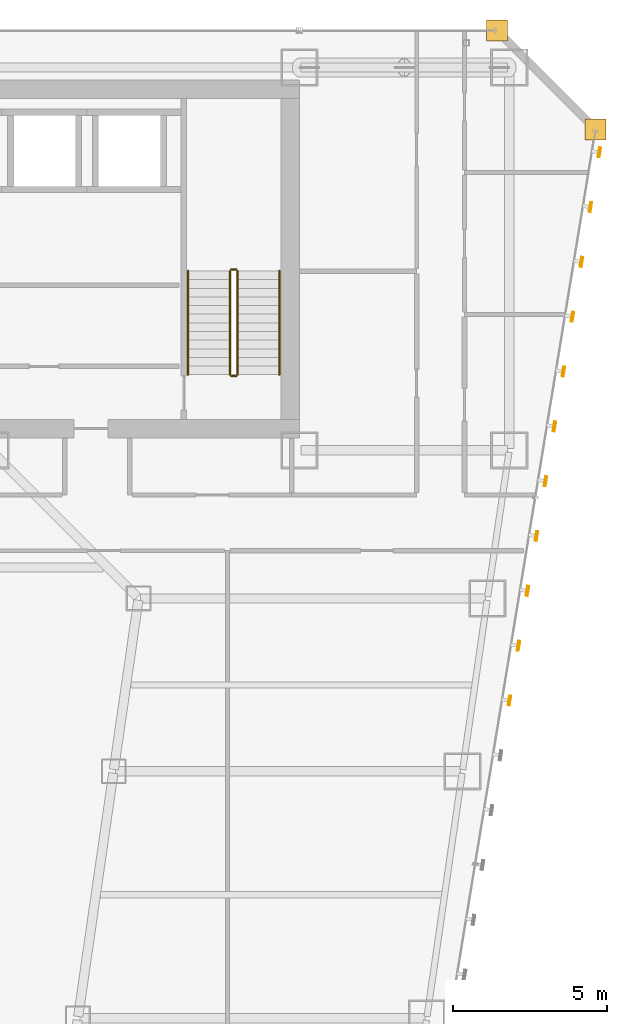
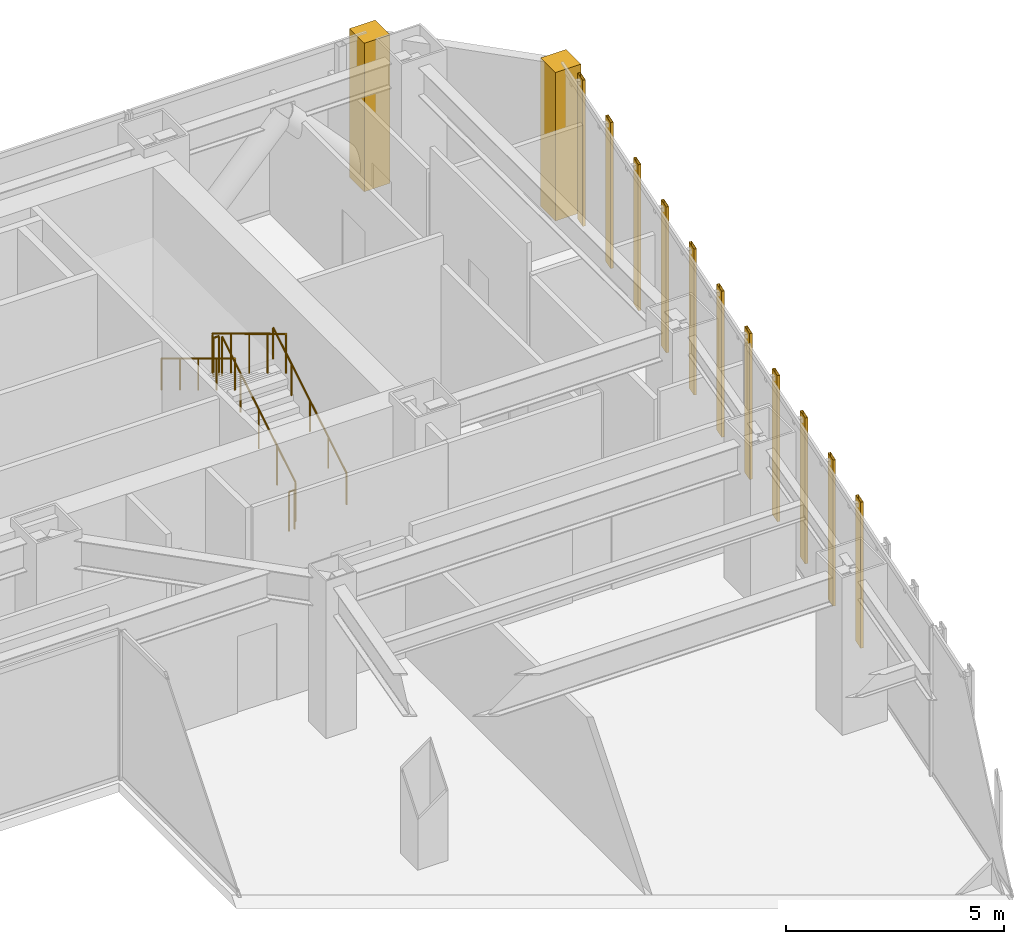
# One storey, part 47 of 47: 11 shading devices, 6 railings, 2 coverings.
"""IFC4 building model written with IfcOpenShell, lengths in metres."""

from ifc_helpers import new_model, si_unit, direction, frame, origin, origin_2d, place, context, subcontext, project, spatial, polyline, hollow_rectangle, circle, outline, extrude, material, layer, layer_set, material_profile, profile_set, type_object, element, save


model = new_model("IFC4")

# Units and contexts
model_context = context("Model", 3, precision=1e-05, world=origin(), true_north=direction((0.0, 1.0)))
body_context = subcontext(model_context, "Body", "Model", "MODEL_VIEW")
ifc_project = project(units=[si_unit("LENGTHUNIT", "METRE"), si_unit("AREAUNIT", "SQUARE_METRE"), si_unit("VOLUMEUNIT", "CUBIC_METRE"), si_unit("PLANEANGLEUNIT", "RADIAN"), si_unit("MASSUNIT", "GRAM", prefix="KILO")], contexts=[model_context])

# Site, building, storey
site_placement = place(None, origin())
site = spatial("IfcSite", under=ifc_project, at=site_placement, CompositionType="ELEMENT")
building_placement = place(site_placement, origin())
building = spatial("IfcBuilding", under=site, at=building_placement, Name="Saevonmaru Cultural Tower", CompositionType="ELEMENT")
storey_placement = place(building_placement, frame((0.0, 0.0, 47.199951171875)))
storey = spatial("IfcBuildingStorey", under=building, at=storey_placement, Name="L09", CompositionType="ELEMENT", Elevation=47.199951171875)

# Coverings
ifc_material_1 = material(Name="Satin Bronze Anodised Aluminium", Category="aluminium")
ifc_layer = layer(ifc_material_1, 0.679931640625, Name="Satin Bronze Anodised Aluminium")
ifc_layer_set = layer_set([ifc_layer], Name="Satin Bronze Anodised Aluminium")
covering_type = type_object("IfcCoveringType", Name="CV-CORNER-CLAD", PredefinedType="CLADDING", material=ifc_layer_set)
covering_1_placement = place(storey_placement, origin())
element("IfcCovering", 1, at=covering_1_placement, inside=storey, type_object=covering_type, Name="L09 Tower Bronze Corner Cladding Pier 9", PredefinedType="CLADDING", context=body_context, shape_type="SweptSolid", body=[
    extrude(outline(polyline([(55.659912109375, 52.4599609375), (56.340087890625, 52.4599609375), (56.340087890625, 53.139892578125), (55.659912109375, 53.139892578125), (55.659912109375, 52.4599609375)])), origin(), (0.0, 0.0, 1.0), 4.150146484375),
])
covering_2_placement = place(storey_placement, origin())
element("IfcCovering", 2, at=covering_2_placement, inside=storey, type_object=covering_type, Name="L09 Tower Bronze Corner Cladding Pier 10", PredefinedType="CLADDING", context=body_context, shape_type="SweptSolid", body=[
    extrude(outline(polyline([(52.4599609375, 55.659912109375), (53.139892578125, 55.659912109375), (53.139892578125, 56.340087890625), (52.4599609375, 56.340087890625), (52.4599609375, 55.659912109375)])), origin(), (0.0, 0.0, 1.0), 4.150146484375),
])

# Railings
ifc_material_2 = material(Name="Architectural Painted Steel", Category="steel")
railing_type_1 = type_object("IfcRailingType", Name="RL-STAIR-GUARD", PredefinedType="GUARDRAIL", material=ifc_material_2)
railing_1_placement = place(storey_placement, frame((44.39990234375, 44.85009765625, 0.169189453125)))
element("IfcRailing", 3, at=railing_1_placement, inside=storey, type_object=railing_type_1, Name="L09 ST-2 stair guard 1", PredefinedType="GUARDRAIL", context=body_context, shape_type="SweptSolid", body=[
    extrude(circle(Radius=0.02392578125, at=origin_2d()), frame((0.0, 0.0, 1.09619140625), z_axis=(0.0, 0.855820338506, 0.51727318527), x_axis=(-1.0, 0.0, 0.0)), (0.0, 0.0, 1.0), 3.92578125),
    extrude(circle(Radius=0.02099609375, at=origin_2d()), origin(), (0.0, 0.0, 1.0), 1.072021484375),
    extrude(circle(Radius=0.02099609375, at=origin_2d()), frame((0.0, 0.83984375, 0.5078125)), (0.0, 0.0, 1.0), 1.072021484375),
    extrude(circle(Radius=0.02099609375, at=origin_2d()), frame((0.0, 1.679931640625, 1.015380859375)), (0.0, 0.0, 1.0), 1.072021484375),
    extrude(circle(Radius=0.02099609375, at=origin_2d()), frame((0.0, 2.52001953125, 1.52294921875)), (0.0, 0.0, 1.0), 1.072021484375),
    extrude(circle(Radius=0.02099609375, at=origin_2d()), frame((0.0, 3.35986328125, 2.03076171875)), (0.0, 0.0, 1.0), 1.072021484375),
])
railing_2_placement = place(storey_placement, frame((44.35009765625, 48.260009765625, 2.199951171875)))
element("IfcRailing", 4, at=railing_2_placement, inside=storey, type_object=railing_type_1, Name="L09 ST-2 stair guard 2", PredefinedType="GUARDRAIL", context=body_context, shape_type="SweptSolid", body=[
    extrude(circle(Radius=0.02392578125, at=origin_2d()), frame((0.0, 0.0, 1.09619140625), z_axis=(-1.0, 0.0, 0.0), x_axis=(0.0, -1.0, 0.0)), (0.0, 0.0, 1.0), 0.150146484375),
    extrude(circle(Radius=0.02099609375, at=origin_2d()), origin(), (0.0, 0.0, 1.0), 1.072021484375),
    extrude(circle(Radius=0.02099609375, at=origin_2d()), frame((-0.150146484375, 0.0, 0.0)), (0.0, 0.0, 1.0), 1.072021484375),
])
railing_3_placement = place(storey_placement, frame((44.14990234375, 48.2099609375, 2.369384765625)))
element("IfcRailing", 5, at=railing_3_placement, inside=storey, type_object=railing_type_1, Name="L09 ST-2 stair guard 3", PredefinedType="GUARDRAIL", context=body_context, shape_type="SweptSolid", body=[
    extrude(circle(Radius=0.02392578125, at=origin_2d()), frame((0.0, 0.0, 1.09619140625), z_axis=(0.0, -0.855820338506, 0.51727318527), x_axis=(1.0, 0.0, 0.0)), (0.0, 0.0, 1.0), 3.92578125),
    extrude(circle(Radius=0.02099609375, at=origin_2d()), origin(), (0.0, 0.0, 1.0), 1.072021484375),
    extrude(circle(Radius=0.02099609375, at=origin_2d()), frame((0.0, -0.83984375, 0.5078125)), (0.0, 0.0, 1.0), 1.072021484375),
    extrude(circle(Radius=0.02099609375, at=origin_2d()), frame((0.0, -1.679931640625, 1.015380859375)), (0.0, 0.0, 1.0), 1.072021484375),
    extrude(circle(Radius=0.02099609375, at=origin_2d()), frame((0.0, -2.52001953125, 1.52294921875)), (0.0, 0.0, 1.0), 1.072021484375),
    extrude(circle(Radius=0.02099609375, at=origin_2d()), frame((0.0, -3.35986328125, 2.03076171875)), (0.0, 0.0, 1.0), 1.072021484375),
])
railing_4_placement = place(storey_placement, frame((44.35009765625, 44.800048828125, 0.0)))
element("IfcRailing", 6, at=railing_4_placement, inside=storey, type_object=railing_type_1, Name="L09 ST-2 stair guard 4", PredefinedType="GUARDRAIL", context=body_context, shape_type="SweptSolid", body=[
    extrude(circle(Radius=0.02392578125, at=origin_2d()), frame((0.0, 0.0, 1.09619140625), z_axis=(-1.0, 0.0, 0.0), x_axis=(0.0, -1.0, 0.0)), (0.0, 0.0, 1.0), 0.150146484375),
    extrude(circle(Radius=0.02099609375, at=origin_2d()), origin(), (0.0, 0.0, 1.0), 1.072021484375),
    extrude(circle(Radius=0.02099609375, at=origin_2d()), frame((-0.150146484375, 0.0, 0.0)), (0.0, 0.0, 1.0), 1.072021484375),
])
railing_type_2 = type_object("IfcRailingType", Name="RL-STAIR-HANDRAIL", PredefinedType="HANDRAIL", material=ifc_material_1)
railing_5_placement = place(storey_placement, frame((45.75, 44.85009765625, 0.169189453125)))
element("IfcRailing", 7, at=railing_5_placement, inside=storey, type_object=railing_type_2, Name="L09 ST-2 stair handrail 1", PredefinedType="HANDRAIL", context=body_context, shape_type="SweptSolid", body=[
    extrude(circle(Radius=0.02392578125, at=origin_2d()), frame((0.0, 0.0, 0.8759765625), z_axis=(0.0, 0.855820338506, 0.51727318527), x_axis=(-1.0, 0.0, 0.0)), (0.0, 0.0, 1.0), 3.92578125),
    extrude(circle(Radius=0.02099609375, at=origin_2d()), origin(), (0.0, 0.0, 1.0), 0.851806640625),
    extrude(circle(Radius=0.02099609375, at=origin_2d()), frame((0.0, 0.83984375, 0.5078125)), (0.0, 0.0, 1.0), 0.851806640625),
    extrude(circle(Radius=0.02099609375, at=origin_2d()), frame((0.0, 1.679931640625, 1.015380859375)), (0.0, 0.0, 1.0), 0.851806640625),
    extrude(circle(Radius=0.02099609375, at=origin_2d()), frame((0.0, 2.52001953125, 1.52294921875)), (0.0, 0.0, 1.0), 0.851806640625),
    extrude(circle(Radius=0.02099609375, at=origin_2d()), frame((0.0, 3.35986328125, 2.03076171875)), (0.0, 0.0, 1.0), 0.851806640625),
])
railing_6_placement = place(storey_placement, frame((42.800048828125, 48.2099609375, 2.369384765625)))
element("IfcRailing", 8, at=railing_6_placement, inside=storey, type_object=railing_type_2, Name="L09 ST-2 stair handrail 2", PredefinedType="HANDRAIL", context=body_context, shape_type="SweptSolid", body=[
    extrude(circle(Radius=0.02392578125, at=origin_2d()), frame((0.0, 0.0, 0.8759765625), z_axis=(0.0, -0.855820338506, 0.51727318527), x_axis=(1.0, 0.0, 0.0)), (0.0, 0.0, 1.0), 3.92578125),
    extrude(circle(Radius=0.02099609375, at=origin_2d()), origin(), (0.0, 0.0, 1.0), 0.851806640625),
    extrude(circle(Radius=0.02099609375, at=origin_2d()), frame((0.0, -0.83984375, 0.5078125)), (0.0, 0.0, 1.0), 0.851806640625),
    extrude(circle(Radius=0.02099609375, at=origin_2d()), frame((0.0, -1.679931640625, 1.015380859375)), (0.0, 0.0, 1.0), 0.851806640625),
    extrude(circle(Radius=0.02099609375, at=origin_2d()), frame((0.0, -2.52001953125, 1.52294921875)), (0.0, 0.0, 1.0), 0.851806640625),
    extrude(circle(Radius=0.02099609375, at=origin_2d()), frame((0.0, -3.35986328125, 2.03076171875)), (0.0, 0.0, 1.0), 0.851806640625),
])

# Shading devices
ifc_material_profile = material_profile(ifc_material_1, hollow_rectangle(XDim=0.070068359375, YDim=0.320068359375, WallThickness=0.0048828125, at=origin_2d()), Name="FIN-320x70")
ifc_profile_set = profile_set([ifc_material_profile], Name="Satin Bronze Anodised Aluminium")
shading_device_type = type_object("IfcShadingDeviceType", Name="SHD-FIN-320", PredefinedType="JALOUSIE", material=ifc_profile_set)
for number, where, z_axis, x_axis, name in (
    (9, (53.210205078125, 34.2900390625, 0.050048828125), (0.0, 0.0, 1.0), (0.986827496189, -0.161776057456, 0.0), "L09 Art Deco Sawtooth Bronze Fin E8-17"),
    (10, (53.501220703125, 36.06640625, 0.050048828125), (0.0, 0.0, 1.0), (0.986827496189, -0.161776057456, 0.0), "L09 Art Deco Sawtooth Bronze Fin E8-18"),
    (11, (53.792236328125, 37.8427734375, 0.050048828125), (0.0, 0.0, 1.0), (0.986827496189, -0.161776057456, 0.0), "L09 Art Deco Sawtooth Bronze Fin E8-19"),
    (12, (54.083251953125, 39.618896484375, 0.050048828125), (0.0, 0.0, 1.0), (0.986827496189, -0.161776057456, 0.0), "L09 Art Deco Sawtooth Bronze Fin E8-20"),
    (13, (54.37451171875, 41.3955078125, 0.050048828125), (0.0, 0.0, 1.0), (0.986827496189, -0.161776057456, 0.0), "L09 Art Deco Sawtooth Bronze Fin E8-21"),
    (14, (54.665283203125, 43.171630859375, 0.050048828125), (0.0, 0.0, 1.0), (0.986827496189, -0.161776057456, 0.0), "L09 Art Deco Sawtooth Bronze Fin E8-22"),
    (15, (54.95654296875, 44.947998046875, 0.050048828125), (0.0, 0.0, 1.0), (0.986827496189, -0.161776057456, 0.0), "L09 Art Deco Sawtooth Bronze Fin E8-23"),
    (16, (55.24755859375, 46.724365234375, 0.050048828125), (0.0, 0.0, 1.0), (0.986827496189, -0.161776057456, 0.0), "L09 Art Deco Sawtooth Bronze Fin E8-24"),
    (17, (55.538818359375, 48.50048828125, 0.050048828125), (0.0, 0.0, 1.0), (0.986827496189, -0.161776057456, 0.0), "L09 Art Deco Sawtooth Bronze Fin E8-25"),
    (18, (55.829833984375, 50.27685546875, 0.050048828125), (0.0, 0.0, 1.0), (0.986827496189, -0.161776057456, 0.0), "L09 Art Deco Sawtooth Bronze Fin E8-26"),
    (19, (56.120849609375, 52.05322265625, 0.050048828125), (0.0, 0.0, 1.0), (0.986827496189, -0.161776057456, 0.0), "L09 Art Deco Sawtooth Bronze Fin E8-27"),
):
    element("IfcShadingDevice", number, at=place(storey_placement, frame(where, z_axis=z_axis, x_axis=x_axis)), inside=storey, type_object=shading_device_type, Name=name, PredefinedType="JALOUSIE", context=body_context, shape_type="SweptSolid", body=[
        extrude(hollow_rectangle(XDim=0.070068359375, YDim=0.320068359375, WallThickness=0.0048828125, at=origin_2d()), origin(), (0.0, 0.0, 1.0), 4.080078125),
    ])

save(model, "model.ifc")
